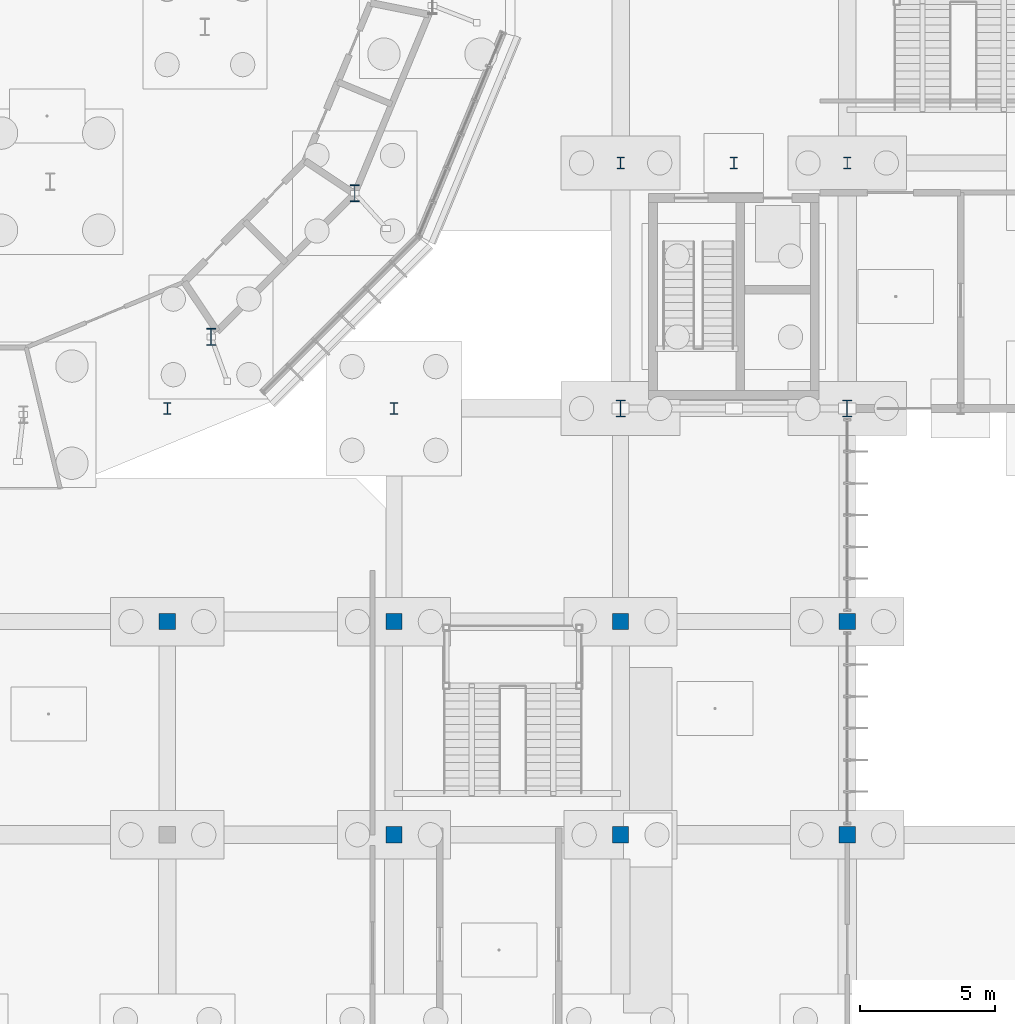
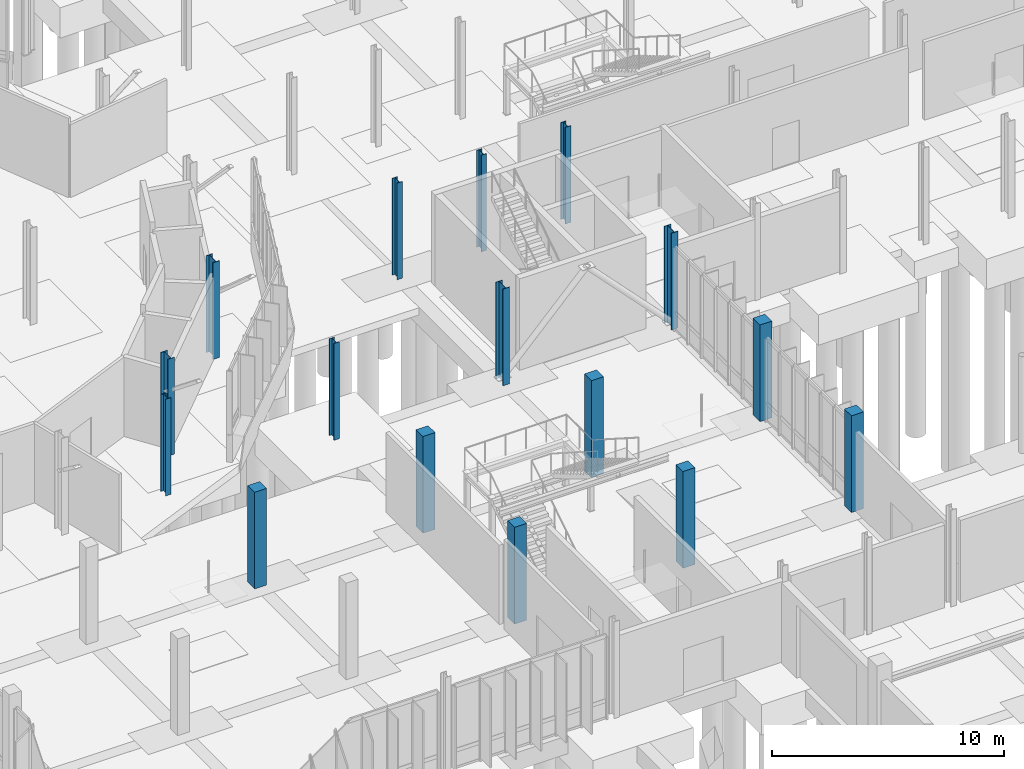
# One storey, part 12 of 119: 16 columns.
"""IFC4 building model written with IfcOpenShell, lengths in metres."""

from ifc_helpers import new_model, si_unit, derived_unit, direction, frame, origin, origin_2d, place, context, subcontext, project, spatial, rectangle, i_section, extrude, material, material_profile, profile_set, type_object, element, save


model = new_model("IFC4")

# Units and contexts
model_context = context("Model", 3, precision=1e-05, world=origin(), true_north=direction((0.0, 1.0)))
body_context = subcontext(model_context, "Body", "Model", "MODEL_VIEW")
ifc_project = project(units=[si_unit("LENGTHUNIT", "METRE"), si_unit("AREAUNIT", "SQUARE_METRE"), si_unit("VOLUMEUNIT", "CUBIC_METRE"), si_unit("PLANEANGLEUNIT", "RADIAN"), si_unit("MASSUNIT", "GRAM", prefix="KILO"), derived_unit("THERMALTRANSMITTANCEUNIT", [(si_unit("MASSUNIT", "GRAM", prefix="KILO"), 1), (si_unit("TIMEUNIT", "SECOND"), -3), (si_unit("THERMODYNAMICTEMPERATUREUNIT", "KELVIN"), -1)])], contexts=[model_context])

# Site, building, storey
site_placement = place(None, origin())
site = spatial("IfcSite", under=ifc_project, at=site_placement, CompositionType="ELEMENT")
building_placement = place(site_placement, origin())
building = spatial("IfcBuilding", under=site, at=building_placement, Name="Makaiwela Harbour Ferry Terminal", CompositionType="ELEMENT")
storey_placement = place(building_placement, origin())
storey = spatial("IfcBuildingStorey", under=building, at=storey_placement, Name="L00", CompositionType="ELEMENT", Elevation=0.0)

# Columns
ifc_material_1 = material(Name="Concrete f'c 45 MPa (6500 psi)", Category="concrete")
ifc_material_profile_1 = material_profile(ifc_material_1, rectangle(XDim=0.60009765625, YDim=0.60009765625, at=origin_2d()), Name="RC-600X600")
ifc_profile_set_1 = profile_set([ifc_material_profile_1], Name="Concrete f'c 45 MPa (6500 psi)")
column_type_1 = type_object("IfcColumnType", Name="STR-COL-RC600", PredefinedType="COLUMN", material=ifc_profile_set_1)
for number, where, z_axis, x_axis, name in (
    (1, (46.199951171875, 41.5, 0.0), (0.0, 0.0, 1.0), (1.0, 0.0, 0.0), "Structural Column C-09"),
    (2, (54.60009765625, 33.60009765625, 0.0), (0.0, 0.0, 1.0), (1.0, 0.0, 0.0), "Structural Column C-09"),
    (3, (54.60009765625, 41.5, 0.0), (0.0, 0.0, 1.0), (1.0, 0.0, 0.0), "Structural Column C-09"),
    (4, (63.0, 33.60009765625, 0.0), (0.0, 0.0, 1.0), (1.0, 0.0, 0.0), "Structural Column C-09"),
    (5, (63.0, 41.5, 0.0), (0.0, 0.0, 1.0), (1.0, 0.0, 0.0), "Structural Column C-09"),
    (6, (71.39990234375, 33.60009765625, 0.0), (0.0, 0.0, 1.0), (1.0, 0.0, 0.0), "Structural Column C-09"),
    (7, (71.39990234375, 41.5, 0.0), (0.0, 0.0, 1.0), (1.0, 0.0, 0.0), "Structural Column C-09"),
):
    element("IfcColumn", number, at=place(storey_placement, frame(where, z_axis=z_axis, x_axis=x_axis)), inside=storey, type_object=column_type_1, Name=name, PredefinedType="COLUMN", context=body_context, shape_type="SweptSolid", body=[
        extrude(rectangle(XDim=0.60009765625, YDim=0.60009765625, at=origin_2d()), origin(), (0.0, 0.0, 1.0), 5.10009765625),
    ])
ifc_material_2 = material(Name="Steel ASTM A992 Grade 50", Category="steel")
ifc_material_profile_2 = material_profile(ifc_material_2, i_section(OverallWidth=0.264892578125, OverallDepth=0.430908203125, WebThickness=0.014892578125, FlangeThickness=0.02490234375, at=origin_2d()), Name="W16X100")
ifc_profile_set_2 = profile_set([ifc_material_profile_2], Name="Steel ASTM A992 Grade 50")
column_type_2 = type_object("IfcColumnType", Name="STR-COL-W16X100", PredefinedType="COLUMN", material=ifc_profile_set_2)
for number, where, z_axis, x_axis, name in (
    (8, (63.0, 58.5, 0.0), (0.0, 0.0, 1.0), (1.0, 0.0, 0.0), "Structural Column C-03"),
    (9, (71.39990234375, 58.5, 0.0), (0.0, 0.0, 1.0), (1.0, 0.0, 0.0), "Structural Column C-03"),
    (10, (46.199951171875, 49.39990234375, 0.0), (0.0, 0.0, 1.0), (1.0, 0.0, 0.0), "Structural Column C-03"),
    (11, (54.60009765625, 49.39990234375, 0.0), (0.0, 0.0, 1.0), (1.0, 0.0, 0.0), "Structural Column C-03"),
    (12, (67.199951171875, 58.5, 0.0), (0.0, 0.0, 1.0), (1.0, 0.0, 0.0), "Structural Column C-03"),
):
    element("IfcColumn", number, at=place(storey_placement, frame(where, z_axis=z_axis, x_axis=x_axis)), inside=storey, type_object=column_type_2, Name=name, PredefinedType="COLUMN", context=body_context, shape_type="SweptSolid", body=[
        extrude(i_section(OverallWidth=0.264892578125, OverallDepth=0.430908203125, WebThickness=0.014892578125, FlangeThickness=0.02490234375, at=origin_2d()), origin(), (0.0, 0.0, 1.0), 5.10009765625),
    ])
ifc_material_profile_3 = material_profile(ifc_material_2, i_section(OverallWidth=0.327880859375, OverallDepth=0.6279296875, WebThickness=0.0166015625, FlangeThickness=0.027587890625, at=origin_2d()), Name="W24X146")
ifc_profile_set_3 = profile_set([ifc_material_profile_3], Name="Steel ASTM A992 Grade 50")
column_type_3 = type_object("IfcColumnType", Name="STR-COL-W24X146", PredefinedType="COLUMN", material=ifc_profile_set_3)
for number, where, z_axis, x_axis, name in (
    (13, (47.822509765625, 52.052490234375, 0.0), (0.0, 0.0, 1.0), (1.0, 0.0, 0.0), "Structural Column C-01"),
    (14, (53.1474609375, 57.37744140625, 0.0), (0.0, 0.0, 1.0), (1.0, 0.0, 0.0), "Structural Column C-01"),
    (15, (63.0, 49.39990234375, 0.0), (0.0, 0.0, 1.0), (1.0, 0.0, 0.0), "Structural Column C-01"),
    (16, (71.39990234375, 49.39990234375, 0.0), (0.0, 0.0, 1.0), (1.0, 0.0, 0.0), "Structural Column C-01"),
):
    element("IfcColumn", number, at=place(storey_placement, frame(where, z_axis=z_axis, x_axis=x_axis)), inside=storey, type_object=column_type_3, Name=name, PredefinedType="COLUMN", context=body_context, shape_type="SweptSolid", body=[
        extrude(i_section(OverallWidth=0.327880859375, OverallDepth=0.6279296875, WebThickness=0.0166015625, FlangeThickness=0.027587890625, at=origin_2d()), origin(), (0.0, 0.0, 1.0), 5.10009765625),
    ])

save(model, "model.ifc")
